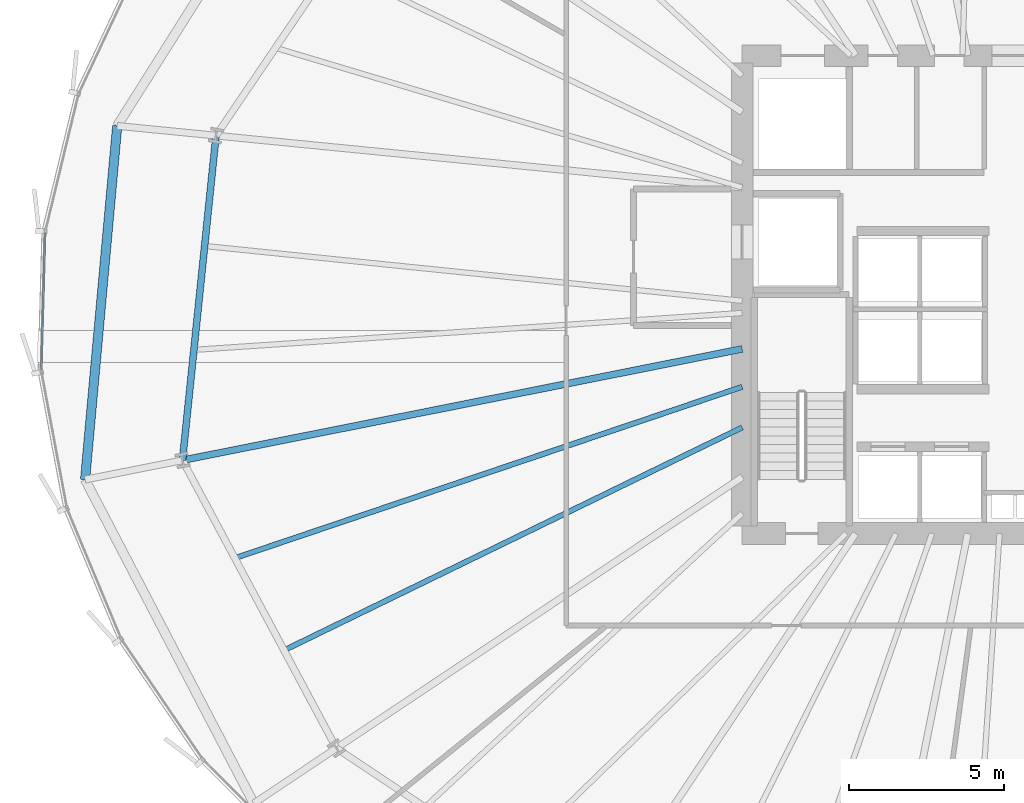
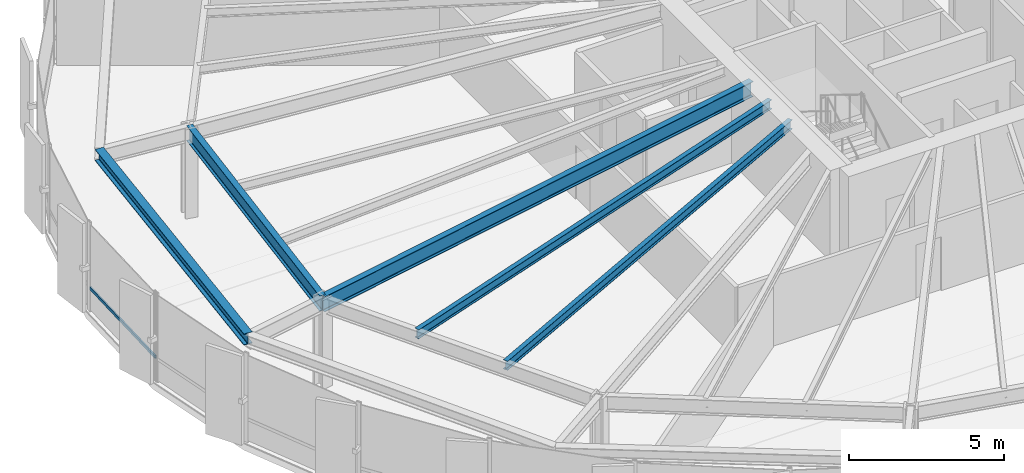
# One storey, part 8 of 37: 5 beams, 1 member, 1 element without a shape of its own.
"""IFC4 building model written with IfcOpenShell, lengths in metres."""

from ifc_helpers import new_model, si_unit, direction, frame, origin, origin_2d, place, context, subcontext, project, spatial, hollow_rectangle, i_section, extrude, source, transform, mapped, material, layer, layer_set, material_profile, profile_set, type_object, element, aggregate, save


model = new_model("IFC4")

# Units and contexts
model_context = context("Model", 3, precision=1e-05, world=origin(), true_north=direction((0.0, 1.0)))
body_context = subcontext(model_context, "Body", "Model", "MODEL_VIEW")
ifc_project = project(units=[si_unit("LENGTHUNIT", "METRE"), si_unit("AREAUNIT", "SQUARE_METRE"), si_unit("VOLUMEUNIT", "CUBIC_METRE"), si_unit("PLANEANGLEUNIT", "RADIAN"), si_unit("MASSUNIT", "GRAM", prefix="KILO"), si_unit("THERMODYNAMICTEMPERATUREUNIT", "KELVIN")], contexts=[model_context])

# Site, building, storey
site_placement = place(None, origin())
site = spatial("IfcSite", under=ifc_project, at=site_placement, CompositionType="ELEMENT")
building_placement = place(site_placement, origin())
building = spatial("IfcBuilding", under=site, at=building_placement, Name="Kethvar Cultural Tower", CompositionType="ELEMENT")
storey_placement = place(building_placement, frame((0.0, 0.0, 48.60009765625)))
storey = spatial("IfcBuildingStorey", under=building, at=storey_placement, Name="L11", CompositionType="ELEMENT", Elevation=48.60009765625)

# Beams
ifc_material_1 = material(Name="Steel S355J2", Category="steel")
ifc_material_profile_1 = material_profile(ifc_material_1, i_section(OverallWidth=0.219970703125, OverallDepth=0.60009765625, WebThickness=0.011962890625, FlangeThickness=0.01904296875, FilletRadius=0.02392578125, at=origin_2d()), Name="Steel S355J2 — IPE600")
ifc_profile_set_1 = profile_set([ifc_material_profile_1], Name="Steel S355J2 — IPE600")
beam_type_1 = type_object("IfcBeamType", Name="BM-IPE600", PredefinedType="BEAM", material=ifc_profile_set_1)
shared_shape_1 = source(origin(), body_context, "Body", "SweptSolid", [
    extrude(i_section(OverallWidth=0.219970703125, OverallDepth=0.60009765625, WebThickness=0.011962890625, FlangeThickness=0.01904296875, FilletRadius=0.02392578125, at=origin_2d()), origin(), (0.0, 0.0, 1.0), 18.387451171875),
])
beam_1_placement = place(storey_placement, frame((38.0, 26.049560546875, 3.247802734375), z_axis=(-0.980785937774, -0.195087017162, 0.0), x_axis=(0.195087017162, -0.980785937774, 0.0)))
element("IfcBeam", 1, at=beam_1_placement, inside=storey, type_object=beam_type_1, Name="L11 Primary Radial Beam RB-09", PredefinedType="BEAM", context=body_context, shape_type="MappedRepresentation", body=[
    mapped(shared_shape_1, transform((0.0, 0.0, 0.0), scale=1.0)),
])
shared_shape_2 = source(origin(), body_context, "Body", "SweptSolid", [
    extrude(i_section(OverallWidth=0.219970703125, OverallDepth=0.60009765625, WebThickness=0.011962890625, FlangeThickness=0.01904296875, FilletRadius=0.02392578125, at=origin_2d()), origin(), (0.0, 0.0, 1.0), 10.515869140625),
])
beam_2_placement = place(storey_placement, frame((21.047119140625, 32.922607421875, 3.247802734375), z_axis=(-0.102824694973, -0.994699493367, 0.0), x_axis=(0.994699493367, -0.102824694973, 0.0)))
element("IfcBeam", 2, at=beam_2_placement, inside=storey, type_object=beam_type_1, Name="L11 Column Ring Tie Beam CR-08", PredefinedType="BEAM", context=body_context, shape_type="MappedRepresentation", body=[
    mapped(shared_shape_2, transform((0.0, 0.0, 0.0), scale=1.0)),
])
ifc_material_profile_2 = material_profile(ifc_material_1, i_section(OverallWidth=0.300048828125, OverallDepth=0.449951171875, WebThickness=0.013916015625, FlangeThickness=0.02587890625, FilletRadius=0.027099609375, at=origin_2d()), Name="Steel S355J2 — HEB450")
ifc_profile_set_2 = profile_set([ifc_material_profile_2], Name="Steel S355J2 — HEB450")
beam_type_2 = type_object("IfcBeamType", Name="BM-SP450", PredefinedType="SPANDREL", material=ifc_profile_set_2)
shared_shape_3 = source(origin(), body_context, "Body", "SweptSolid", [
    extrude(i_section(OverallWidth=0.300048828125, OverallDepth=0.449951171875, WebThickness=0.013916015625, FlangeThickness=0.02587890625, FilletRadius=0.027099609375, at=origin_2d()), origin(), (0.0, 0.0, 1.0), 11.445556640625),
])
beam_3_placement = place(storey_placement, frame((17.862548828125, 33.23681640625, 3.322998046875), z_axis=(-0.090441506594, -0.995901769195, 0.0), x_axis=(0.995901769195, -0.090441506594, 0.0)))
element("IfcBeam", 3, at=beam_3_placement, inside=storey, type_object=beam_type_2, Name="L11 Perimeter Spandrel Beam SP-08", PredefinedType="SPANDREL", context=body_context, shape_type="MappedRepresentation", body=[
    mapped(shared_shape_3, transform((0.0, 0.0, 0.0), scale=1.0)),
])
ifc_material_profile_3 = material_profile(ifc_material_1, i_section(OverallWidth=0.169921875, OverallDepth=0.360107421875, WebThickness=0.008056640625, FlangeThickness=0.0126953125, FilletRadius=0.01806640625, at=origin_2d()), Name="Steel S355J2 — IPE360")
ifc_profile_set_3 = profile_set([ifc_material_profile_3], Name="Steel S355J2 — IPE360")
beam_type_3 = type_object("IfcBeamType", Name="BM-J360", PredefinedType="JOIST", material=ifc_profile_set_3)
shared_shape_4 = source(origin(), body_context, "Body", "SweptSolid", [
    extrude(i_section(OverallWidth=0.169921875, OverallDepth=0.360107421875, WebThickness=0.008056640625, FlangeThickness=0.0126953125, FilletRadius=0.01806640625, at=origin_2d()), origin(), (0.0, 0.0, 1.0), 17.255126953125),
])
beam_4_placement = place(storey_placement, frame((38.0, 24.828369140625, 3.367919921875), z_axis=(-0.947435140552, -0.319947893332, 0.0), x_axis=(0.319947893332, -0.947435140552, 0.0)))
element("IfcBeam", 4, at=beam_4_placement, inside=storey, type_object=beam_type_3, Name="L11 Composite Floor Joist J-09A", PredefinedType="JOIST", context=body_context, shape_type="MappedRepresentation", body=[
    mapped(shared_shape_4, transform((0.0, 0.0, 0.0), scale=1.0)),
])
shared_shape_5 = source(origin(), body_context, "Body", "SweptSolid", [
    extrude(i_section(OverallWidth=0.169921875, OverallDepth=0.360107421875, WebThickness=0.008056640625, FlangeThickness=0.0126953125, FilletRadius=0.01806640625, at=origin_2d()), origin(), (0.0, 0.0, 1.0), 16.4150390625),
])
beam_5_placement = place(storey_placement, frame((38.0, 23.51904296875, 3.367919921875), z_axis=(-0.899246473736, -0.437442315595, 0.0), x_axis=(0.437442315595, -0.899246473736, 0.0)))
element("IfcBeam", 5, at=beam_5_placement, inside=storey, type_object=beam_type_3, Name="L11 Composite Floor Joist J-09B", PredefinedType="JOIST", context=body_context, shape_type="MappedRepresentation", body=[
    mapped(shared_shape_5, transform((0.0, 0.0, 0.0), scale=1.0)),
])

# Curtain wall, member
ifc_material_2 = material(Name="Aluminium 6063-T6", Category="aluminium")
ifc_layer = layer(ifc_material_2, 0.179931640625, Name="Aluminium 6063-T6", Category="aluminium")
ifc_layer_set = layer_set([ifc_layer], Name="Aluminium 6063-T6 (180 mm)")
curtain_wall_type = type_object("IfcCurtainWallType", Name="CW-SYS-02-Z1", PredefinedType="NOTDEFINED", material=ifc_layer_set)
curtain_wall_placement = place(storey_placement, origin())
curtain_wall = element("IfcCurtainWall", 6, at=curtain_wall_placement, inside=storey, type_object=curtain_wall_type, Name="L11 Curtain Wall Run 03", PredefinedType="NOTDEFINED")
ifc_material_profile_4 = material_profile(ifc_material_2, hollow_rectangle(XDim=0.054931640625, YDim=0.1201171875, WallThickness=0.00390625, at=origin_2d()), Name="Aluminium 6063-T6 — RHS120x55x4")
ifc_profile_set_4 = profile_set([ifc_material_profile_4], Name="Aluminium 6063-T6 — RHS120x55x4")
member_type = type_object("IfcMemberType", Name="CW-SYS-02-Z1-TRN", PredefinedType="USERDEFINED", material=ifc_profile_set_4)
shared_shape_6 = source(origin(), body_context, "Body", "SweptSolid", [
    extrude(hollow_rectangle(XDim=0.054931640625, YDim=0.1201171875, WallThickness=0.00390625, at=origin_2d()), origin(), (0.0, 0.0, 1.0), 4.430419921875),
])
member_placement = place(storey_placement, frame((15.540283203125, 29.792724609375, 0.949951171875), z_axis=(-0.027773185355, -0.999614250686, 0.0), x_axis=(0.999614250686, -0.027773185355, 0.0)))
member = element("IfcMember", 7, at=member_placement, type_object=member_type, Name="CW-L11-R03 Transom 6", ObjectType="TRANSOM", PredefinedType="USERDEFINED", context=body_context, shape_type="MappedRepresentation", body=[
    mapped(shared_shape_6, transform((0.0, 0.0, 0.0), scale=1.0)),
])
aggregate(curtain_wall, [member])

save(model, "model.ifc")
